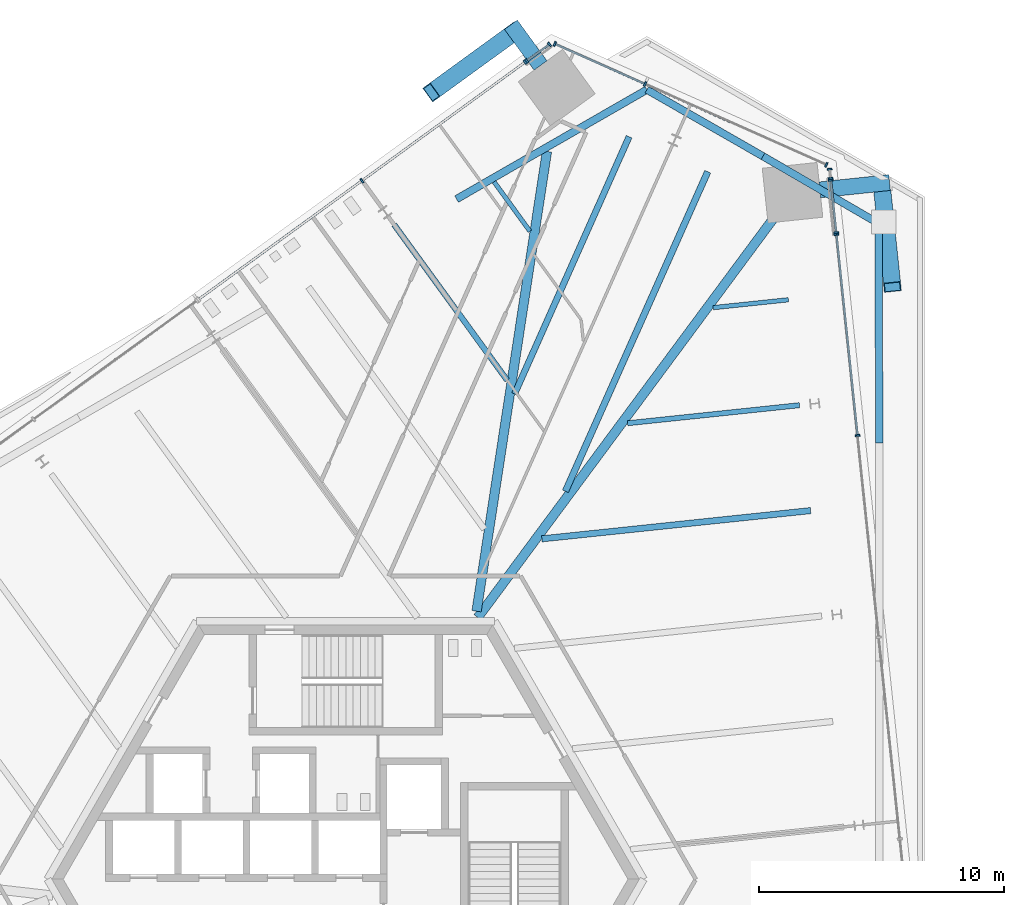
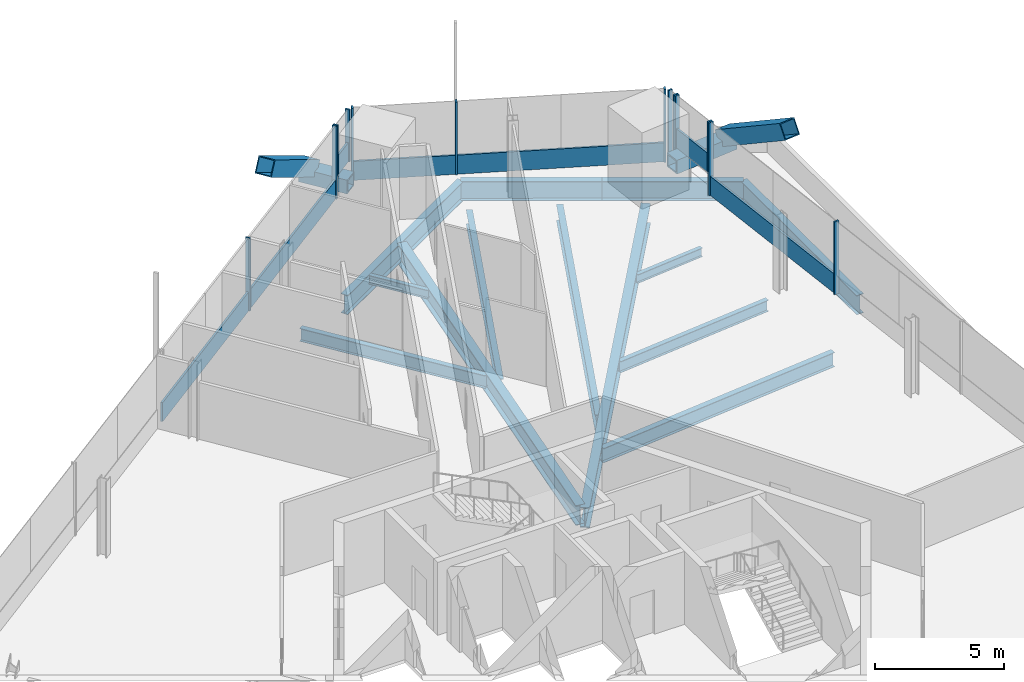
# One storey, part 8 of 24: 24 members, 13 beams, 6 elements without a shape of their own.
"""IFC4 building model written with IfcOpenShell, lengths in metres."""

import ifcopenshell
import ifcopenshell.guid

model = None  # the IFC model being written
_history = None  # IfcOwnerHistory: only IFC2X3 demands one
_inside = {}  # id of a spatial element -> (the spatial element, [elements in it])
_under = {}  # id of a project, library or spatial element -> (it, [spatial elements below it])
_declared = {}  # id of a project -> (the project, [libraries it declares])
_typed = {}  # id of a type object -> (the type object, [elements of that type])
_made_of = {}  # id of a material, layer set ... -> (it, [elements and type objects made of it])


def new_model(schema):
    """Start an empty IFC model of exactly this schema.

    Asked for "IFC4X3", IfcOpenShell would pick the latest addendum, in which some entities
    have other attributes; the version numbers below select the first issue.
    IFC2X3 requires an IfcOwnerHistory on every rooted entity: one is made here for all.
    """
    global model, _history
    if schema == "IFC4X3":
        model = ifcopenshell.file(schema_version=(4, 3, 0, 0))
    else:
        model = ifcopenshell.file(schema=schema)
    _inside.clear()
    _under.clear()
    _declared.clear()
    _typed.clear()
    _made_of.clear()
    _history = None
    if model.schema == "IFC2X3":
        org = make("IfcOrganization", Name="unknown")
        user = make(
            "IfcPersonAndOrganization",
            ThePerson=make("IfcPerson", FamilyName="unknown"),
            TheOrganization=org,
        )
        app = make(
            "IfcApplication",
            ApplicationDeveloper=org,
            Version="unknown",
            ApplicationFullName="unknown",
            ApplicationIdentifier="unknown",
        )
        _history = make(
            "IfcOwnerHistory",
            OwningUser=user,
            OwningApplication=app,
            ChangeAction="ADDED",
            CreationDate=0,
        )
    return model


def make(cls, **values):
    """One entity of the class cls with the attributes given. An attribute that is None is left unset."""
    return model.create_entity(
        cls, **{name: value for name, value in values.items() if value is not None}
    )


def rooted(cls, **values):
    """An entity with a GlobalId (a new one), such as an element, a storey or a relation."""
    return make(cls, GlobalId=ifcopenshell.guid.new(), OwnerHistory=_history, **values)


def si_unit(unit_type, name, prefix=None):
    """IfcSIUnit, for example si_unit("LENGTHUNIT", "METRE", prefix="MILLI")."""
    return make("IfcSIUnit", UnitType=unit_type, Prefix=prefix, Name=name)


def assignment(units):
    """IfcUnitAssignment: the units of a project."""
    return None if units is None else make("IfcUnitAssignment", Units=units)


def point(xyz):
    """IfcCartesianPoint."""
    return None if xyz is None else make("IfcCartesianPoint", Coordinates=xyz)


def direction(xyz):
    """IfcDirection."""
    return None if xyz is None else make("IfcDirection", DirectionRatios=xyz)


def frame(location, z_axis=None, x_axis=None):
    """IfcAxis2Placement3D, a coordinate frame: its origin and axes. An axis left out is left unset."""
    return make(
        "IfcAxis2Placement3D",
        Location=point(location),
        Axis=direction(z_axis),
        RefDirection=direction(x_axis),
    )


def frame_2d(location, x_axis=None):
    """IfcAxis2Placement2D, a coordinate frame in the plane: its origin and x axis."""
    return make(
        "IfcAxis2Placement2D", Location=point(location), RefDirection=direction(x_axis)
    )


def origin():
    """The frame at (0, 0, 0) with its axes left unset."""
    return frame((0.0, 0.0, 0.0))


def origin_2d():
    """The frame at (0, 0) in the plane with its x axis left unset."""
    return frame_2d((0.0, 0.0))


def place(relative_to, where):
    """IfcLocalPlacement: puts the frame where relative to a parent placement (None: the world)."""
    return make(
        "IfcLocalPlacement", PlacementRelTo=relative_to, RelativePlacement=where
    )


def context(
    kind, dimensions, precision=None, world=None, true_north=None, identifier=None
):
    """IfcGeometricRepresentationContext, for example the 3D "Model" context."""
    return make(
        "IfcGeometricRepresentationContext",
        ContextIdentifier=identifier,
        ContextType=kind,
        CoordinateSpaceDimension=dimensions,
        Precision=precision,
        WorldCoordinateSystem=world,
        TrueNorth=true_north,
    )


def subcontext(parent, identifier, kind, view, scale=None):
    """IfcGeometricRepresentationSubContext, for example "Body" below "Model"."""
    return make(
        "IfcGeometricRepresentationSubContext",
        ContextIdentifier=identifier,
        ContextType=kind,
        ParentContext=parent,
        TargetScale=scale,
        TargetView=view,
    )


def project(units=None, contexts=None):
    """IfcProject with its units and contexts."""
    return rooted(
        "IfcProject",
        Name="project",
        RepresentationContexts=contexts,
        UnitsInContext=assignment(units),
    )


def spatial(cls, under=None, at=None, **own):
    """A site, building, storey or space (cls), placed at a placement, below another one or the project."""
    s = rooted(cls, ObjectPlacement=at, **own)
    if under is not None:
        _under.setdefault(under.id(), (under, []))[1].append(s)
    return s


def profile(cls, at=None, kind="AREA", **sizes):
    """A parametric profile (cls). Its sizes go by their IFC names, for example OverallWidth=200.0."""
    return make(cls, ProfileType=kind, Position=at, **sizes)


def rectangle(**sizes):
    """IfcRectangleProfileDef."""
    return profile("IfcRectangleProfileDef", **sizes)


def hollow_rectangle(**sizes):
    """IfcRectangleHollowProfileDef."""
    return profile("IfcRectangleHollowProfileDef", **sizes)


def i_section(**sizes):
    """IfcIShapeProfileDef."""
    return profile("IfcIShapeProfileDef", **sizes)


def extrude(swept, where, along, depth):
    """IfcExtrudedAreaSolid: the profile swept, set in the frame where, extruded along a direction by depth."""
    return make(
        "IfcExtrudedAreaSolid",
        SweptArea=swept,
        Position=where,
        ExtrudedDirection=direction(along),
        Depth=depth,
    )


def shape(context_of_items, identifier, shape_type, items):
    """IfcShapeRepresentation: the items that make up one representation, for example the "Body"."""
    return make(
        "IfcShapeRepresentation",
        ContextOfItems=context_of_items,
        RepresentationIdentifier=identifier,
        RepresentationType=shape_type,
        Items=items,
    )


def source(mapping_origin, context_of_items, identifier, shape_type, items):
    """IfcRepresentationMap: a shape defined once, which mapped items show again and again."""
    return make(
        "IfcRepresentationMap",
        MappingOrigin=mapping_origin,
        MappedRepresentation=shape(context_of_items, identifier, shape_type, items),
    )


def transform(
    local_origin,
    x_axis=None,
    y_axis=None,
    z_axis=None,
    scale=None,
    scale2=None,
    scale3=None,
    uniform=True,
):
    """IfcCartesianTransformationOperator3D, or its non-uniform kind. x_axis, y_axis, z_axis: its Axis1, 2, 3."""
    if uniform:
        return make(
            "IfcCartesianTransformationOperator3D",
            Axis1=direction(x_axis),
            Axis2=direction(y_axis),
            LocalOrigin=point(local_origin),
            Scale=scale,
            Axis3=direction(z_axis),
        )
    return make(
        "IfcCartesianTransformationOperator3DnonUniform",
        Axis1=direction(x_axis),
        Axis2=direction(y_axis),
        LocalOrigin=point(local_origin),
        Scale=scale,
        Axis3=direction(z_axis),
        Scale2=scale2,
        Scale3=scale3,
    )


def mapped(mapping_source, mapping_target):
    """IfcMappedItem: shows the shape of a source again, moved by a transform."""
    return make(
        "IfcMappedItem", MappingSource=mapping_source, MappingTarget=mapping_target
    )


def material(Name=None, Category=None):
    """IfcMaterial."""
    return make("IfcMaterial", Name=Name, Category=Category)


def material_profile(
    of_material, cross_section, Name=None, Category=None, Priority=None
):
    """IfcMaterialProfile: a cross section and its material."""
    return make(
        "IfcMaterialProfile",
        Name=Name,
        Material=of_material,
        Profile=cross_section,
        Priority=Priority,
        Category=Category,
    )


def profile_set(profiles, Name=None, composite=None):
    """IfcMaterialProfileSet."""
    return make(
        "IfcMaterialProfileSet",
        Name=Name,
        MaterialProfiles=profiles,
        CompositeProfile=composite,
    )


def made_of(thing, what):
    """Note that an element or type object is made of a material, layer set ...; save() writes the relation."""
    if what is not None:
        _made_of.setdefault(what.id(), (what, []))[1].append(thing)
    return thing


def type_object(cls, material=None, **own):
    """A type object (cls), such as IfcWallType, which elements share."""
    return made_of(rooted(cls, **own), material)


def element(
    cls,
    number,
    at=None,
    inside=None,
    cuts=None,
    type_object=None,
    material=None,
    context=None,
    identifier="Body",
    shape_type=None,
    held_by="IfcProductDefinitionShape",
    body=None,
    shapes=None,
    **own,
):
    """One element of the class cls, such as IfcWall. Its Tag is "e" and its number.

    at: its placement. inside: the storey or other place that contains it. cuts: it is an
    opening in that element (IfcRelVoidsElement). A single representation is given by context,
    identifier, shape_type and body (its items); several are given by shapes. held_by: the class
    of the entity that holds the representations. save() writes the other relations.
    """
    e = rooted(cls, Tag="e%d" % number, ObjectPlacement=at, **own)
    if body is not None:
        shapes = [shape(context, identifier, shape_type, body)]
    if shapes is not None:
        e.Representation = make(held_by, Representations=shapes)
    if inside is not None:
        _inside.setdefault(inside.id(), (inside, []))[1].append(e)
    if cuts is not None:
        rooted(
            "IfcRelVoidsElement", RelatingBuildingElement=cuts, RelatedOpeningElement=e
        )
    if type_object is not None:
        _typed.setdefault(type_object.id(), (type_object, []))[1].append(e)
    return made_of(e, material)


def aggregate(whole, parts):
    """IfcRelAggregates: a whole, such as a stair, and the parts it consists of."""
    return rooted("IfcRelAggregates", RelatingObject=whole, RelatedObjects=parts)


def save(model, path):
    """Write the relations noted so far, then the file.

    IfcRelAggregates (storeys below a building ...), IfcRelContainedInSpatialStructure (elements
    in a storey), IfcRelDefinesByType, IfcRelAssociatesMaterial and IfcRelDeclares: one each for
    every whole, place, type object, material and project.
    """
    for whole, parts in _under.values():
        aggregate(whole, parts)
    for where, things in _inside.values():
        rooted(
            "IfcRelContainedInSpatialStructure",
            RelatedElements=things,
            RelatingStructure=where,
        )
    for kind, things in _typed.values():
        rooted("IfcRelDefinesByType", RelatedObjects=things, RelatingType=kind)
    for what, things in _made_of.values():
        rooted("IfcRelAssociatesMaterial", RelatedObjects=things, RelatingMaterial=what)
    for by, libraries in _declared.values():
        rooted("IfcRelDeclares", RelatingContext=by, RelatedDefinitions=libraries)
    model.write(path)


model = new_model("IFC4")

# Units and contexts
model_context = context("Model", 3, precision=1e-05, world=origin(), true_north=direction((0.0, 1.0)))
body_context = subcontext(model_context, "Body", "Model", "MODEL_VIEW")
ifc_project = project(units=[si_unit("LENGTHUNIT", "METRE"), si_unit("AREAUNIT", "SQUARE_METRE"), si_unit("VOLUMEUNIT", "CUBIC_METRE"), si_unit("PLANEANGLEUNIT", "RADIAN"), si_unit("MASSUNIT", "GRAM", prefix="KILO")], contexts=[model_context])

# Site, building, storey
site_placement = place(None, origin())
site = spatial("IfcSite", under=ifc_project, at=site_placement, CompositionType="ELEMENT")
building_placement = place(site_placement, origin())
building = spatial("IfcBuilding", under=site, at=building_placement, Name="Triune Harvest Tower", CompositionType="ELEMENT")
storey_placement = place(building_placement, frame((0.0, 0.0, 58.5)))
storey = spatial("IfcBuildingStorey", under=building, at=storey_placement, Name="L13", CompositionType="ELEMENT", Elevation=58.5)

# Beams
ifc_material_1 = material(Name="Steel ASTM A992 Gr 50", Category="steel")
ifc_material_profile_1 = material_profile(ifc_material_1, i_section(OverallWidth=0.383544921875, OverallDepth=0.9423828125, WebThickness=0.022216796875, FlangeThickness=0.039794921875, at=origin_2d()), Name="W36x232")
ifc_profile_set_1 = profile_set([ifc_material_profile_1], Name="Steel ASTM A992 Gr 50")
beam_type_1 = type_object("IfcBeamType", Name="HG-1 Hip girder W36x232", PredefinedType="BEAM", material=ifc_profile_set_1)
beam_1_placement = place(storey_placement, frame((17.710205078125, 27.306396484375, -0.631103515625), z_axis=(-0.595417603429, -0.803416378677, 0.0), x_axis=(0.803416378677, -0.595417603429, 0.0)))
element("IfcBeam", 1, at=beam_1_placement, inside=storey, type_object=beam_type_1, Name="beam/L13/HG3", PredefinedType="BEAM", context=body_context, shape_type="SweptSolid", body=[
    extrude(i_section(OverallWidth=0.383544921875, OverallDepth=0.9423828125, WebThickness=0.022216796875, FlangeThickness=0.039794921875, at=origin_2d()), origin(), (0.0, 0.0, 1.0), 20.67333984375),
])
ifc_material_2 = material(Name="Steel ASTM A992 Gr 50", Category="steel")
ifc_material_profile_2 = material_profile(ifc_material_2, i_section(OverallWidth=0.180908203125, OverallDepth=0.41650390625, WebThickness=0.010986328125, FlangeThickness=0.01806640625, at=origin_2d()), Name="W16x57")
ifc_profile_set_2 = profile_set([ifc_material_profile_2], Name="Steel ASTM A992 Gr 50")
beam_type_2 = type_object("IfcBeamType", Name="JT-1 Floor joist W16x57", PredefinedType="JOIST", material=ifc_profile_set_2)
beam_2_placement = place(storey_placement, frame((6.0654296875, 28.494384765625, -0.368408203125), z_axis=(0.587747345795, -0.809044533701, 0.0), x_axis=(0.809044533701, 0.587747345795, 0.0)))
element("IfcBeam", 2, at=beam_2_placement, inside=storey, type_object=beam_type_2, Name="beam/L13/JT14", PredefinedType="JOIST", context=body_context, shape_type="SweptSolid", body=[
    extrude(i_section(OverallWidth=0.180908203125, OverallDepth=0.41650390625, WebThickness=0.010986328125, FlangeThickness=0.01806640625, at=origin_2d()), origin(), (0.0, 0.0, 1.0), 2.497802734375),
])
ifc_material_3 = material(Name="Steel ASTM A992 Gr 50", Category="steel")
ifc_material_profile_3 = material_profile(ifc_material_3, i_section(OverallWidth=0.2099609375, OverallDepth=0.535888671875, WebThickness=0.010986328125, FlangeThickness=0.017333984375, at=origin_2d()), Name="W21x68")
ifc_profile_set_3 = profile_set([ifc_material_profile_3], Name="Steel ASTM A992 Gr 50")
beam_type_3 = type_object("IfcBeamType", Name="JT-2 Floor joist W21x68", PredefinedType="JOIST", material=ifc_profile_set_3)
beam_3_placement = place(storey_placement, frame((18.54443359375, 19.368896484375, -0.427978515625), z_axis=(-0.99452324037, -0.104515665643, 0.0), x_axis=(0.104515665643, -0.99452324037, 0.0)))
element("IfcBeam", 3, at=beam_3_placement, inside=storey, type_object=beam_type_3, Name="beam/L13/JT10", PredefinedType="JOIST", context=body_context, shape_type="SweptSolid", body=[
    extrude(i_section(OverallWidth=0.2099609375, OverallDepth=0.535888671875, WebThickness=0.010986328125, FlangeThickness=0.017333984375, at=origin_2d()), origin(), (0.0, 0.0, 1.0), 7.063720703125),
])
ifc_material_4 = material(Name="Steel ASTM A992 Gr 50", Category="steel")
ifc_material_profile_4 = material_profile(ifc_material_4, i_section(OverallWidth=0.253662109375, OverallDepth=0.683349609375, WebThickness=0.012451171875, FlangeThickness=0.01904296875, at=origin_2d()), Name="W27x94")
ifc_profile_set_4 = profile_set([ifc_material_profile_4], Name="Steel ASTM A992 Gr 50")
beam_type_4 = type_object("IfcBeamType", Name="JT-4 Floor joist W27x94", PredefinedType="JOIST", material=ifc_profile_set_4)
beam_4_placement = place(storey_placement, frame((18.997314453125, 15.0615234375, -0.501708984375), z_axis=(-0.994522406109, -0.104523603782, 0.0), x_axis=(0.104523603782, -0.994522406109, 0.0)))
element("IfcBeam", 4, at=beam_4_placement, inside=storey, type_object=beam_type_4, Name="beam/L13/JT9", PredefinedType="JOIST", context=body_context, shape_type="SweptSolid", body=[
    extrude(i_section(OverallWidth=0.253662109375, OverallDepth=0.683349609375, WebThickness=0.012451171875, FlangeThickness=0.01904296875, at=origin_2d()), origin(), (0.0, 0.0, 1.0), 11.038818359375),
])
beam_5_placement = place(storey_placement, frame((11.583251953125, 30.337890625, -0.501708984375), z_axis=(-0.406727077534, -0.913549716436, 0.0), x_axis=(0.913549716436, -0.406727077534, 0.0)))
element("IfcBeam", 5, at=beam_5_placement, inside=storey, type_object=beam_type_4, Name="beam/L13/JT13", PredefinedType="JOIST", context=body_context, shape_type="SweptSolid", body=[
    extrude(i_section(OverallWidth=0.253662109375, OverallDepth=0.683349609375, WebThickness=0.012451171875, FlangeThickness=0.01904296875, at=origin_2d()), origin(), (0.0, 0.0, 1.0), 11.505126953125),
])
ifc_material_5 = material(Name="Steel ASTM A992 Gr 50", Category="steel")
ifc_material_profile_5 = material_profile(ifc_material_5, i_section(OverallWidth=0.2666015625, OverallDepth=0.7568359375, WebThickness=0.013916015625, FlangeThickness=0.019287109375, at=origin_2d()), Name="W30x108")
ifc_profile_set_5 = profile_set([ifc_material_profile_5], Name="Steel ASTM A992 Gr 50")
beam_type_5 = type_object("IfcBeamType", Name="JT-5 Floor joist W30x108", PredefinedType="JOIST", material=ifc_profile_set_5)
beam_6_placement = place(storey_placement, frame((14.794921875, 28.907958984375, -0.53857421875), z_axis=(-0.40673584148, -0.913545814536, 0.0), x_axis=(0.913545814536, -0.40673584148, 0.0)))
element("IfcBeam", 6, at=beam_6_placement, inside=storey, type_object=beam_type_5, Name="beam/L13/JT12", PredefinedType="JOIST", context=body_context, shape_type="SweptSolid", body=[
    extrude(i_section(OverallWidth=0.2666015625, OverallDepth=0.7568359375, WebThickness=0.013916015625, FlangeThickness=0.019287109375, at=origin_2d()), origin(), (0.0, 0.0, 1.0), 14.293701171875),
])
ifc_material_6 = material(Name="Steel ASTM A992 Gr 50", Category="steel")
ifc_material_profile_6 = material_profile(ifc_material_6, i_section(OverallWidth=0.3046875, OverallDepth=0.914306640625, WebThickness=0.0166015625, FlangeThickness=0.02587890625, at=origin_2d()), Name="W36x160")
ifc_profile_set_6 = profile_set([ifc_material_profile_6], Name="Steel ASTM A992 Gr 50")
beam_type_6 = type_object("IfcBeamType", Name="SB-1 Spandrel beam W36x160", PredefinedType="SPANDREL", material=ifc_profile_set_6)
beam_7_placement = place(storey_placement, frame((21.799560546875, 17.820068359375, -0.6171875), z_axis=(-0.001796355393, 0.999998386552, 0.0), x_axis=(-0.999998386552, -0.001796355393, 0.0)))
element("IfcBeam", 7, at=beam_7_placement, inside=storey, type_object=beam_type_6, Name="beam/L13/WB5", PredefinedType="SPANDREL", context=body_context, shape_type="SweptSolid", body=[
    extrude(i_section(OverallWidth=0.3046875, OverallDepth=0.914306640625, WebThickness=0.0166015625, FlangeThickness=0.02587890625, at=origin_2d()), origin(), (0.0, 0.0, 1.0), 8.969970703125),
])
shared_shape_1 = source(origin(), body_context, "Body", "SweptSolid", [
    extrude(i_section(OverallWidth=0.3046875, OverallDepth=0.914306640625, WebThickness=0.0166015625, FlangeThickness=0.02587890625, at=origin_2d()), origin(), (0.0, 0.0, 1.0), 5.469970703125),
])
for number, where, z_axis, x_axis, name in (
    (8, (21.783447265625, 26.7900390625, -0.6171875), (-0.864569419719, 0.502513401301, 0.0), (-0.502513401301, -0.864569419719, 0.0), "beam/L13/WB6"),
    (9, (17.05419921875, 29.538818359375, -0.6171875), (-0.867478553685, 0.497474581157, 0.0), (-0.497474581157, -0.867478553685, 0.0), "beam/L13/WB7"),
):
    element("IfcBeam", number, at=place(storey_placement, frame(where, z_axis=z_axis, x_axis=x_axis)), inside=storey, type_object=beam_type_6, Name=name, PredefinedType="SPANDREL", context=body_context, shape_type="MappedRepresentation", body=[
        mapped(shared_shape_1, transform((0.0, 0.0, 0.0), scale=1.0)),
    ])
shared_shape_2 = source(origin(), body_context, "Body", "SweptSolid", [
    extrude(i_section(OverallWidth=0.3046875, OverallDepth=0.914306640625, WebThickness=0.0166015625, FlangeThickness=0.02587890625, at=origin_2d()), origin(), (0.0, 0.0, 1.0), 8.97021484375),
])
beam_8_placement = place(storey_placement, frame((12.30908203125, 32.260009765625, -0.6171875), z_axis=(-0.866916887973, -0.498452715256, 0.0), x_axis=(0.498452715256, -0.866916887973, 0.0)))
element("IfcBeam", 10, at=beam_8_placement, inside=storey, type_object=beam_type_6, Name="beam/L13/WB8", PredefinedType="SPANDREL", context=body_context, shape_type="MappedRepresentation", body=[
    mapped(shared_shape_2, transform((0.0, 0.0, 0.0), scale=1.0)),
])
shared_shape_3 = source(origin(), body_context, "Body", "SweptSolid", [
    extrude(i_section(OverallWidth=0.383544921875, OverallDepth=0.9423828125, WebThickness=0.022216796875, FlangeThickness=0.039794921875, at=origin_2d()), origin(), (0.0, 0.0, 1.0), 19.005615234375),
])
beam_9_placement = place(storey_placement, frame((8.227294921875, 29.7373046875, -0.631103515625), z_axis=(-0.151386278287, -0.988474680883, 0.0), x_axis=(0.988474680883, -0.151386278287, 0.0)))
element("IfcBeam", 11, at=beam_9_placement, inside=storey, type_object=beam_type_1, Name="beam/L13/HG4", PredefinedType="BEAM", context=body_context, shape_type="MappedRepresentation", body=[
    mapped(shared_shape_3, transform((0.0, 0.0, 0.0), scale=1.0)),
])
shared_shape_4 = source(origin(), body_context, "Body", "SweptSolid", [
    extrude(i_section(OverallWidth=0.180908203125, OverallDepth=0.41650390625, WebThickness=0.010986328125, FlangeThickness=0.01806640625, at=origin_2d()), origin(), (0.0, 0.0, 1.0), 3.08935546875),
])
beam_10_placement = place(storey_placement, frame((18.091796875, 23.676513671875, -0.368408203125), z_axis=(-0.994519732967, -0.104549035099, 0.0), x_axis=(0.104549035099, -0.994519732967, 0.0)))
element("IfcBeam", 12, at=beam_10_placement, inside=storey, type_object=beam_type_2, Name="beam/L13/JT11", PredefinedType="JOIST", context=body_context, shape_type="MappedRepresentation", body=[
    mapped(shared_shape_4, transform((0.0, 0.0, 0.0), scale=1.0)),
])
ifc_material_7 = material(Name="Steel ASTM A992 Gr 50", Category="steel")
ifc_material_profile_7 = material_profile(ifc_material_7, i_section(OverallWidth=0.22900390625, OverallDepth=0.612060546875, WebThickness=0.011962890625, FlangeThickness=0.01953125, at=origin_2d()), Name="W24x84")
ifc_profile_set_7 = profile_set([ifc_material_profile_7], Name="Steel ASTM A992 Gr 50")
beam_type_7 = type_object("IfcBeamType", Name="JT-3 Floor joist W24x84", PredefinedType="JOIST", material=ifc_profile_set_7)
shared_shape_5 = source(origin(), body_context, "Body", "SweptSolid", [
    extrude(i_section(OverallWidth=0.22900390625, OverallDepth=0.612060546875, WebThickness=0.011962890625, FlangeThickness=0.01953125, at=origin_2d()), origin(), (0.0, 0.0, 1.0), 7.853759765625),
])
beam_11_placement = place(storey_placement, frame((1.9853515625, 26.74169921875, -0.466064453125), z_axis=(0.587779773211, -0.809020975133, 0.0), x_axis=(0.809020975133, 0.587779773211, 0.0)))
element("IfcBeam", 13, at=beam_11_placement, inside=storey, type_object=beam_type_7, Name="beam/L13/JT15", PredefinedType="JOIST", context=body_context, shape_type="MappedRepresentation", body=[
    mapped(shared_shape_5, transform((0.0, 0.0, 0.0), scale=1.0)),
])

# Members
ifc_material_8 = material(Name="Steel ASTM A572 Gr 50", Category="steel")
ifc_material_profile_8 = material_profile(ifc_material_8, hollow_rectangle(XDim=0.64990234375, YDim=0.64990234375, WallThickness=0.070068359375, at=origin_2d()), Name="Box 650x650x70")
ifc_profile_set_8 = profile_set([ifc_material_profile_8], Name="Steel ASTM A572 Gr 50")
member_type_1 = type_object("IfcMemberType", Name="BS-1 Brace stub Box 650x650x70", PredefinedType="STRUT", material=ifc_profile_set_8)
shared_shape_6 = source(origin(), body_context, "Body", "SweptSolid", [
    extrude(hollow_rectangle(XDim=0.64990234375, YDim=0.64990234375, WallThickness=0.070068359375, at=origin_2d()), origin(), (0.0, 0.0, 1.0), 2.060546875),
])
member_1_placement = place(storey_placement, frame((7.964599609375, 33.248779296875, 0.60009765625), z_axis=(-0.58779825083, 0.809007550225, 0.0), x_axis=(-0.809007550225, -0.58779825083, 0.0)))
element("IfcMember", 14, at=member_1_placement, inside=storey, type_object=member_type_1, Name="brace/B2-F3/stub1", PredefinedType="STRUT", context=body_context, shape_type="MappedRepresentation", body=[
    mapped(shared_shape_6, transform((0.0, 0.0, 0.0), scale=1.0)),
])
ifc_material_9 = material(Name="Steel ASTM A572 Gr 50", Category="steel")
ifc_material_profile_9 = material_profile(ifc_material_9, hollow_rectangle(XDim=0.699951171875, YDim=0.699951171875, WallThickness=0.0400390625, at=origin_2d()), Name="Box 700x700x40")
ifc_profile_set_9 = profile_set([ifc_material_profile_9], Name="Steel ASTM A572 Gr 50")
member_type_2 = type_object("IfcMemberType", Name="BR-1 Brace Box 700x700x40", PredefinedType="BRACE", material=ifc_profile_set_9)
shared_shape_7 = source(origin(), body_context, "Body", "SweptSolid", [
    extrude(hollow_rectangle(XDim=0.699951171875, YDim=0.699951171875, WallThickness=0.0400390625, at=origin_2d()), origin(), (0.0, 0.0, 1.0), 5.04541015625),
])
for number, where, z_axis, x_axis, name in (
    (15, (21.89599609375, 28.43115234375, 0.889892578125), (0.088163595026, -0.83886063851, 0.537159203282), (0.994522414331, 0.104523525549, 0.0), "brace/B2-F1/d2/1"),
    (16, (6.947509765625, 34.648681640625, 0.889892578125), (-0.682380393926, -0.495792761038, 0.537165278185), (0.58779641416, -0.809008884686, 0.0), "brace/B2-F3/d1/1"),
):
    element("IfcMember", number, at=place(storey_placement, frame(where, z_axis=z_axis, x_axis=x_axis)), inside=storey, type_object=member_type_2, Name=name, PredefinedType="BRACE", context=body_context, shape_type="MappedRepresentation", body=[
        mapped(shared_shape_7, transform((0.0, 0.0, 0.0), scale=1.0)),
    ])
shared_shape_8 = source(origin(), body_context, "Body", "SweptSolid", [
    extrude(hollow_rectangle(XDim=0.64990234375, YDim=0.64990234375, WallThickness=0.070068359375, at=origin_2d()), origin(), (0.0, 0.0, 1.0), 2.8603515625),
])
member_2_placement = place(storey_placement, frame((19.37939453125, 28.166748046875, 0.60009765625), z_axis=(0.994519007324, 0.104555937519, 0.0), x_axis=(-0.104555937519, 0.994519007324, 0.0)))
element("IfcMember", 17, at=member_2_placement, inside=storey, type_object=member_type_1, Name="brace/B2-F1/stub3", PredefinedType="STRUT", context=body_context, shape_type="MappedRepresentation", body=[
    mapped(shared_shape_8, transform((0.0, 0.0, 0.0), scale=1.0)),
])

# Curtain wall, members
ifc_material_10 = material(Name="Aluminium bronze anodised", Category="aluminium")
curtain_wall_type_1 = type_object("IfcCurtainWallType", Name="CW-1 Tower stick curtain wall", PredefinedType="NOTDEFINED", material=ifc_material_10)
curtain_wall_1_placement = place(storey_placement, origin())
curtain_wall_1 = element("IfcCurtainWall", 18, at=curtain_wall_1_placement, inside=storey, type_object=curtain_wall_type_1, Name="CW-1 B2-F1 L13 run 201")
ifc_material_11 = material(Name="Aluminium bronze anodised", Category="aluminium")
ifc_material_profile_10 = material_profile(ifc_material_11, rectangle(XDim=0.199951171875, YDim=0.074951171875, at=origin_2d()), Name="MU-1 mullion 75 x 200")
ifc_profile_set_10 = profile_set([ifc_material_profile_10], Name="Aluminium bronze anodised")
member_type_3 = type_object("IfcMemberType", Name="MU-1 mullion 75 x 200", PredefinedType="MULLION", material=ifc_profile_set_10)
shared_shape_9 = source(origin(), body_context, "Body", "SweptSolid", [
    extrude(rectangle(XDim=0.199951171875, YDim=0.074951171875, at=origin_2d()), origin(), (0.0, 0.0, 1.0), 2.454833984375),
])
member_3_placement = place(storey_placement, frame((20.04638671875, 26.41650390625, 0.985107421875), z_axis=(0.0, 0.0, 1.0), x_axis=(-0.994522126993, -0.104526259484, 0.0)))
member_3 = element("IfcMember", 19, at=member_3_placement, type_object=member_type_3, Name="CW-1 mullion B2-F1 201.1", PredefinedType="MULLION", context=body_context, shape_type="MappedRepresentation", body=[
    mapped(shared_shape_9, transform((0.0, 0.0, 0.0), scale=1.0)),
])
member_4_placement = place(storey_placement, frame((19.82080078125, 28.5625, 0.985107421875), z_axis=(0.0, 0.0, 1.0), x_axis=(-0.994522126993, -0.104526259484, 0.0)))
member_4 = element("IfcMember", 20, at=member_4_placement, type_object=member_type_3, Name="CW-1 mullion B2-F1 201.2", PredefinedType="MULLION", context=body_context, shape_type="MappedRepresentation", body=[
    mapped(shared_shape_9, transform((0.0, 0.0, 0.0), scale=1.0)),
])

curtain_wall_2_placement = place(storey_placement, origin())
curtain_wall_2 = element("IfcCurtainWall", 21, at=curtain_wall_2_placement, inside=storey, type_object=curtain_wall_type_1, Name="CW-1 B2-F3 L13 run 1")
member_5_placement = place(storey_placement, frame((8.328857421875, 34.107177734375, 0.985107421875), z_axis=(0.0, 0.0, 1.0), x_axis=(0.587792061152, -0.809012047405, 0.0)))
member_5 = element("IfcMember", 22, at=member_5_placement, type_object=member_type_3, Name="CW-1 mullion B2-F3 1.1", PredefinedType="MULLION", context=body_context, shape_type="MappedRepresentation", body=[
    mapped(shared_shape_9, transform((0.0, 0.0, 0.0), scale=1.0)),
])
member_6_placement = place(storey_placement, frame((7.401123046875, 33.43310546875, 0.985107421875), z_axis=(0.0, 0.0, 1.0), x_axis=(0.587792061152, -0.809012047405, 0.0)))
member_6 = element("IfcMember", 23, at=member_6_placement, type_object=member_type_3, Name="CW-1 mullion B2-F3 1.2", PredefinedType="MULLION", context=body_context, shape_type="MappedRepresentation", body=[
    mapped(shared_shape_9, transform((0.0, 0.0, 0.0), scale=1.0)),
])

curtain_wall_3_placement = place(storey_placement, origin())
curtain_wall_3 = element("IfcCurtainWall", 24, at=curtain_wall_3_placement, inside=storey, type_object=curtain_wall_type_1, Name="CW-1 B2-F1 L13 run 1101")
shared_shape_10 = source(origin(), body_context, "Body", "SweptSolid", [
    extrude(rectangle(XDim=0.199951171875, YDim=0.074951171875, at=origin_2d()), origin(), (0.0, 0.0, 1.0), 3.43994140625),
])
member_7_placement = place(storey_placement, frame((20.916748046875, 18.134521484375, 0.0), z_axis=(0.0, 0.0, 1.0), x_axis=(-0.994521898639, -0.104528432145, 0.0)))
member_7 = element("IfcMember", 25, at=member_7_placement, type_object=member_type_3, Name="CW-1 mullion B2-F1 1101.7", PredefinedType="MULLION", context=body_context, shape_type="MappedRepresentation", body=[
    mapped(shared_shape_10, transform((0.0, 0.0, 0.0), scale=1.0)),
])
member_8_placement = place(storey_placement, frame((20.05419921875, 26.341796875, 0.0), z_axis=(0.0, 0.0, 1.0), x_axis=(-0.994521898639, -0.104528432145, 0.0)))
member_8 = element("IfcMember", 26, at=member_8_placement, type_object=member_type_3, Name="CW-1 mullion B2-F1 1101.9", PredefinedType="MULLION", context=body_context, shape_type="MappedRepresentation", body=[
    mapped(shared_shape_10, transform((0.0, 0.0, 0.0), scale=1.0)),
])

curtain_wall_4_placement = place(storey_placement, origin())
curtain_wall_4 = element("IfcCurtainWall", 27, at=curtain_wall_4_placement, inside=storey, type_object=curtain_wall_type_1, Name="CW-1 B2-F1 L13 run 301")
member_9_placement = place(storey_placement, frame((19.81298828125, 28.63720703125, 0.0), z_axis=(0.0, 0.0, 1.0), x_axis=(-0.994527263114, -0.104477379959, 0.0)))
member_9 = element("IfcMember", 28, at=member_9_placement, type_object=member_type_3, Name="CW-1 mullion B2-F1 301.1", PredefinedType="MULLION", context=body_context, shape_type="MappedRepresentation", body=[
    mapped(shared_shape_10, transform((0.0, 0.0, 0.0), scale=1.0)),
])
member_10_placement = place(storey_placement, frame((19.7734375, 29.01171875, 0.0), z_axis=(0.0, 0.0, 1.0), x_axis=(-0.994527263114, -0.104477379959, 0.0)))
member_10 = element("IfcMember", 29, at=member_10_placement, type_object=member_type_3, Name="CW-1 mullion B2-F1 301.2", PredefinedType="MULLION", context=body_context, shape_type="MappedRepresentation", body=[
    mapped(shared_shape_10, transform((0.0, 0.0, 0.0), scale=1.0)),
])
aggregate(curtain_wall_4, [member_9, member_10])

curtain_wall_5_placement = place(storey_placement, origin())
curtain_wall_5 = element("IfcCurtainWall", 30, at=curtain_wall_5_placement, inside=storey, type_object=curtain_wall_type_1, Name="CW-1 B2-F2 L13 run 1")
member_11_placement = place(storey_placement, frame((19.643798828125, 29.1904296875, 0.0), z_axis=(0.0, 0.0, 1.0), x_axis=(-0.406733978386, -0.913546644034, 0.0)))
member_11 = element("IfcMember", 31, at=member_11_placement, type_object=member_type_3, Name="CW-1 mullion B2-F2 1.1", PredefinedType="MULLION", context=body_context, shape_type="MappedRepresentation", body=[
    mapped(shared_shape_10, transform((0.0, 0.0, 0.0), scale=1.0)),
])
member_12_placement = place(storey_placement, frame((12.2353515625, 32.48876953125, 0.0), z_axis=(0.0, 0.0, 1.0), x_axis=(-0.406733978386, -0.913546644034, 0.0)))
member_12 = element("IfcMember", 32, at=member_12_placement, type_object=member_type_3, Name="CW-1 mullion B2-F2 1.3", PredefinedType="MULLION", context=body_context, shape_type="MappedRepresentation", body=[
    mapped(shared_shape_10, transform((0.0, 0.0, 0.0), scale=1.0)),
])
member_13_placement = place(storey_placement, frame((8.548583984375, 34.13037109375, 0.0), z_axis=(0.0, 0.0, 1.0), x_axis=(-0.406733978386, -0.913546644034, 0.0)))
member_13 = element("IfcMember", 33, at=member_13_placement, type_object=member_type_3, Name="CW-1 mullion B2-F2 1.4", PredefinedType="MULLION", context=body_context, shape_type="MappedRepresentation", body=[
    mapped(shared_shape_10, transform((0.0, 0.0, 0.0), scale=1.0)),
])

ifc_material_12 = material(Name="Aluminium bronze anodised", Category="aluminium")
curtain_wall_type_2 = type_object("IfcCurtainWallType", Name="CW-7 Tower stick curtain wall with insulated spandrel infill", PredefinedType="NOTDEFINED", material=ifc_material_12)
curtain_wall_6_placement = place(storey_placement, origin())
curtain_wall_6 = element("IfcCurtainWall", 34, at=curtain_wall_6_placement, inside=storey, type_object=curtain_wall_type_2, Name="CW-7 B2-F3 L13 run 101")
member_14_placement = place(storey_placement, frame((7.34033203125, 33.38916015625, 0.0), z_axis=(0.0, 0.0, 1.0), x_axis=(0.587783244821, -0.809018452885, 0.0)))
member_14 = element("IfcMember", 35, at=member_14_placement, type_object=member_type_3, Name="CW-7 mullion B2-F3 101.1", PredefinedType="MULLION", context=body_context, shape_type="MappedRepresentation", body=[
    mapped(shared_shape_10, transform((0.0, 0.0, 0.0), scale=1.0)),
])
member_15_placement = place(storey_placement, frame((0.663818359375, 28.538330078125, 0.0), z_axis=(0.0, 0.0, 1.0), x_axis=(0.587783244821, -0.809018452885, 0.0)))
member_15 = element("IfcMember", 36, at=member_15_placement, type_object=member_type_3, Name="CW-7 mullion B2-F3 101.3", PredefinedType="MULLION", context=body_context, shape_type="MappedRepresentation", body=[
    mapped(shared_shape_10, transform((0.0, 0.0, 0.0), scale=1.0)),
])

# Member
ifc_material_13 = material(Name="Aluminium bronze anodised", Category="aluminium")
ifc_material_profile_11 = material_profile(ifc_material_13, rectangle(XDim=0.090087890625, YDim=0.89990234375, at=origin_2d()), Name="TR-1 transom 90 x 900")
ifc_profile_set_11 = profile_set([ifc_material_profile_11], Name="Aluminium bronze anodised")
member_type_4 = type_object("IfcMemberType", Name="TR-1 transom 90 x 900", PredefinedType="USERDEFINED", material=ifc_profile_set_11)
shared_shape_11 = source(origin(), body_context, "Body", "SweptSolid", [
    extrude(rectangle(XDim=0.090087890625, YDim=0.89990234375, at=origin_2d()), origin(), (0.0, 0.0, 1.0), 8.177490234375),
])
member_16_placement = place(storey_placement, frame((20.912841796875, 18.171630859375, 0.449951171875), z_axis=(-0.104521604212, 0.99452261626, 0.0), x_axis=(-0.99452261626, -0.104521604212, 0.0)))
member_16 = element("IfcMember", 37, at=member_16_placement, type_object=member_type_4, Name="CW-1 transom B2-F1 1101.4", ObjectType="TRANSOM", PredefinedType="USERDEFINED", context=body_context, shape_type="MappedRepresentation", body=[
    mapped(shared_shape_11, transform((0.0, 0.0, 0.0), scale=1.0)),
])

aggregate(curtain_wall_3, [member_7, member_8, member_16])

member_17_placement = place(storey_placement, frame((7.31005859375, 33.366943359375, 0.449951171875), z_axis=(-0.809014856645, -0.587788194613, 0.0), x_axis=(0.587788194613, -0.809014856645, 0.0)))
member_17 = element("IfcMember", 38, at=member_17_placement, type_object=member_type_4, Name="CW-7 transom B2-F3 101.1", ObjectType="TRANSOM", PredefinedType="USERDEFINED", context=body_context, shape_type="MappedRepresentation", body=[
    mapped(shared_shape_11, transform((0.0, 0.0, 0.0), scale=1.0)),
])

member_18_placement = place(storey_placement, frame((0.633544921875, 28.516357421875, 0.449951171875), z_axis=(-0.809014856645, -0.587788194613, 0.0), x_axis=(0.587788194613, -0.809014856645, 0.0)))
member_18 = element("IfcMember", 39, at=member_18_placement, type_object=member_type_4, Name="CW-7 transom B2-F3 101.2", ObjectType="TRANSOM", PredefinedType="USERDEFINED", context=body_context, shape_type="MappedRepresentation", body=[
    mapped(shared_shape_11, transform((0.0, 0.0, 0.0), scale=1.0)),
])

aggregate(curtain_wall_6, [member_14, member_15, member_17, member_18])

shared_shape_12 = source(origin(), body_context, "Body", "SweptSolid", [
    extrude(rectangle(XDim=0.090087890625, YDim=0.89990234375, at=origin_2d()), origin(), (0.0, 0.0, 1.0), 2.0830078125),
])
member_19_placement = place(storey_placement, frame((20.04248046875, 26.45361328125, 1.43505859375), z_axis=(-0.104550555012, 0.994519573184, 0.0), x_axis=(-0.994519573184, -0.104550555012, 0.0)))
member_19 = element("IfcMember", 40, at=member_19_placement, type_object=member_type_4, Name="CW-1 transom B2-F1 201.1", ObjectType="TRANSOM", PredefinedType="USERDEFINED", context=body_context, shape_type="MappedRepresentation", body=[
    mapped(shared_shape_12, transform((0.0, 0.0, 0.0), scale=1.0)),
])

aggregate(curtain_wall_1, [member_3, member_4, member_19])

shared_shape_13 = source(origin(), body_context, "Body", "SweptSolid", [
    extrude(rectangle(XDim=0.090087890625, YDim=0.89990234375, at=origin_2d()), origin(), (0.0, 0.0, 1.0), 8.0341796875),
])
member_20_placement = place(storey_placement, frame((19.609375, 29.205810546875, 0.449951171875), z_axis=(-0.913544441051, 0.40673892637, 0.0), x_axis=(-0.40673892637, -0.913544441051, 0.0)))
member_20 = element("IfcMember", 41, at=member_20_placement, type_object=member_type_4, Name="CW-1 transom B2-F2 1.1", ObjectType="TRANSOM", PredefinedType="USERDEFINED", context=body_context, shape_type="MappedRepresentation", body=[
    mapped(shared_shape_13, transform((0.0, 0.0, 0.0), scale=1.0)),
])

shared_shape_14 = source(origin(), body_context, "Body", "SweptSolid", [
    extrude(rectangle(XDim=0.090087890625, YDim=0.89990234375, at=origin_2d()), origin(), (0.0, 0.0, 1.0), 3.960693359375),
])
member_21_placement = place(storey_placement, frame((12.201171875, 32.504150390625, 0.449951171875), z_axis=(-0.913562276019, 0.406698866282, 0.0), x_axis=(-0.406698866282, -0.913562276019, 0.0)))
member_21 = element("IfcMember", 42, at=member_21_placement, type_object=member_type_4, Name="CW-1 transom B2-F2 1.2", ObjectType="TRANSOM", PredefinedType="USERDEFINED", context=body_context, shape_type="MappedRepresentation", body=[
    mapped(shared_shape_14, transform((0.0, 0.0, 0.0), scale=1.0)),
])

aggregate(curtain_wall_5, [member_11, member_12, member_13, member_20, member_21])

shared_shape_15 = source(origin(), body_context, "Body", "SweptSolid", [
    extrude(rectangle(XDim=0.090087890625, YDim=0.89990234375, at=origin_2d()), origin(), (0.0, 0.0, 1.0), 1.072021484375),
])
member_22_placement = place(storey_placement, frame((8.298583984375, 34.085205078125, 1.43505859375), z_axis=(-0.808982233989, -0.587833092884, 0.0), x_axis=(0.587833092884, -0.808982233989, 0.0)))
member_22 = element("IfcMember", 43, at=member_22_placement, type_object=member_type_4, Name="CW-1 transom B2-F3 1.1", ObjectType="TRANSOM", PredefinedType="USERDEFINED", context=body_context, shape_type="MappedRepresentation", body=[
    mapped(shared_shape_15, transform((0.0, 0.0, 0.0), scale=1.0)),
])

aggregate(curtain_wall_2, [member_5, member_6, member_22])

save(model, "model.ifc")
